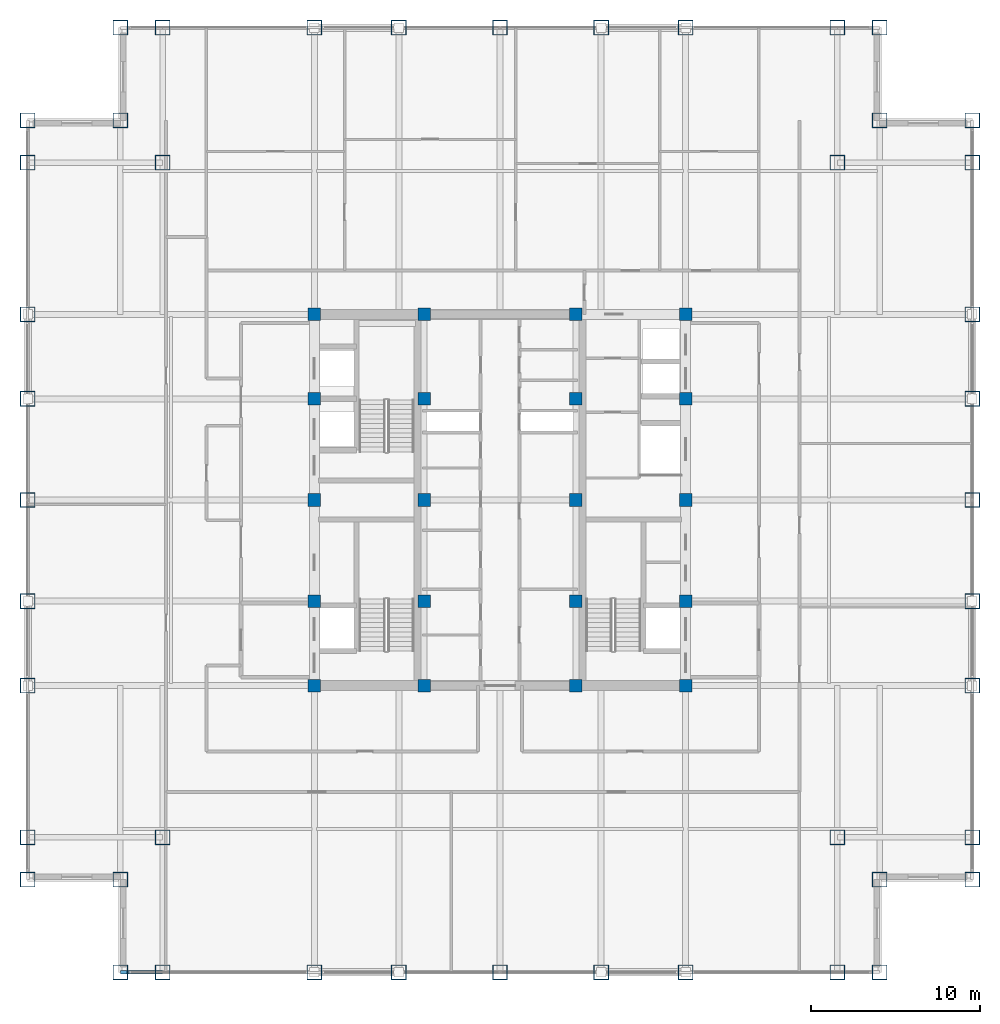
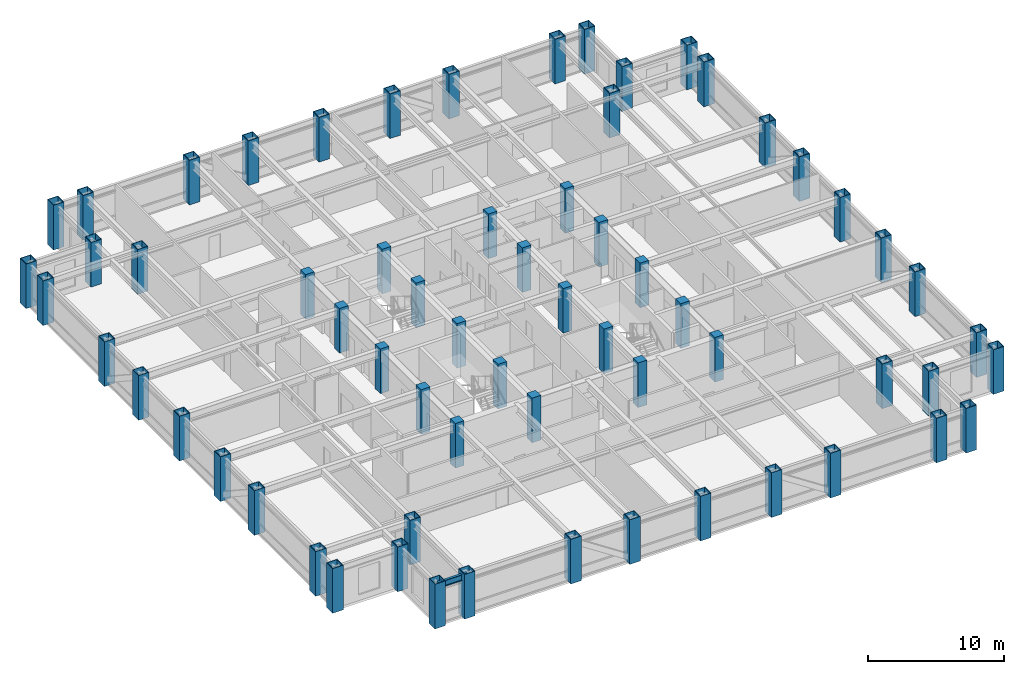
# One storey, part 1 of 22: 64 columns, 1 beam.
"""IFC4 building model written with IfcOpenShell, lengths in metres."""

from ifc_helpers import new_model, si_unit, direction, frame, origin, origin_2d, place, context, subcontext, project, spatial, rectangle, hollow_rectangle, i_section, extrude, source, transform, mapped, material, material_profile, profile_set, type_object, element, save


model = new_model("IFC4")

# Units and contexts
model_context = context("Model", 3, precision=1e-05, world=origin(), true_north=direction((0.0, 1.0)))
body_context = subcontext(model_context, "Body", "Model", "MODEL_VIEW")
ifc_project = project(units=[si_unit("LENGTHUNIT", "METRE"), si_unit("AREAUNIT", "SQUARE_METRE"), si_unit("VOLUMEUNIT", "CUBIC_METRE"), si_unit("PLANEANGLEUNIT", "RADIAN"), si_unit("MASSUNIT", "GRAM", prefix="KILO")], contexts=[model_context])

# Site, building, storey
site_placement = place(None, origin())
site = spatial("IfcSite", under=ifc_project, at=site_placement, CompositionType="ELEMENT")
building_placement = place(site_placement, origin())
building = spatial("IfcBuilding", under=site, at=building_placement, Name="Khorayat Bourse Tower", CompositionType="ELEMENT")
storey_placement = place(building_placement, frame((0.0, 0.0, 309.5)))
storey = spatial("IfcBuildingStorey", under=building, at=storey_placement, Name="L73", CompositionType="ELEMENT", Elevation=309.5)

# Columns
ifc_material_1 = material(Name="Steel EN 10025-4 S460M", Category="steel")
ifc_material_profile_1 = material_profile(ifc_material_1, hollow_rectangle(XDim=0.89990234375, YDim=0.89990234375, WallThickness=0.050048828125, at=origin_2d()), Name="BOX 900x900x50")
ifc_profile_set_1 = profile_set([ifc_material_profile_1], Name="Steel EN 10025-4 S460M")
column_type_1 = type_object("IfcColumnType", Name="COL-TUBE-900", PredefinedType="COLUMN", material=ifc_profile_set_1)
shared_shape_1 = source(origin(), body_context, "Body", "SweptSolid", [
    extrude(hollow_rectangle(XDim=0.89990234375, YDim=0.89990234375, WallThickness=0.050048828125, at=origin_2d()), origin(), (0.0, 0.0, 1.0), 4.0),
])
for number, where, z_axis, x_axis, name in (
    (1, (-28.0, -22.5, 0.0), (0.0, 0.0, 1.0), (1.0, 0.0, 0.0), "L73 Column 001"),
    (2, (-28.0, -20.0, 0.0), (0.0, 0.0, 1.0), (1.0, 0.0, 0.0), "L73 Column 002"),
    (3, (-28.0, -11.0, 0.0), (0.0, 0.0, 1.0), (1.0, 0.0, 0.0), "L73 Column 003"),
    (4, (-28.0, -6.0, 0.0), (0.0, 0.0, 1.0), (1.0, 0.0, 0.0), "L73 Column 004"),
    (5, (-28.0, 0.0, 0.0), (0.0, 0.0, 1.0), (1.0, 0.0, 0.0), "L73 Column 005"),
    (6, (-28.0, 6.0, 0.0), (0.0, 0.0, 1.0), (1.0, 0.0, 0.0), "L73 Column 006"),
    (7, (-28.0, 11.0, 0.0), (0.0, 0.0, 1.0), (1.0, 0.0, 0.0), "L73 Column 007"),
    (8, (-28.0, 20.0, 0.0), (0.0, 0.0, 1.0), (1.0, 0.0, 0.0), "L73 Column 008"),
    (9, (-28.0, 22.5, 0.0), (0.0, 0.0, 1.0), (1.0, 0.0, 0.0), "L73 Column 009"),
    (10, (-22.5, -28.0, 0.0), (0.0, 0.0, 1.0), (1.0, 0.0, 0.0), "L73 Column 010"),
    (11, (-22.5, -22.5, 0.0), (0.0, 0.0, 1.0), (1.0, 0.0, 0.0), "L73 Column 011"),
    (12, (-22.5, 22.5, 0.0), (0.0, 0.0, 1.0), (1.0, 0.0, 0.0), "L73 Column 012"),
    (13, (-22.5, 28.0, 0.0), (0.0, 0.0, 1.0), (1.0, 0.0, 0.0), "L73 Column 013"),
    (14, (-20.0, -28.0, 0.0), (0.0, 0.0, 1.0), (1.0, 0.0, 0.0), "L73 Column 014"),
    (15, (-20.0, -20.0, 0.0), (0.0, 0.0, 1.0), (1.0, 0.0, 0.0), "L73 Column 015"),
    (16, (-20.0, 20.0, 0.0), (0.0, 0.0, 1.0), (1.0, 0.0, 0.0), "L73 Column 016"),
    (17, (-20.0, 28.0, 0.0), (0.0, 0.0, 1.0), (1.0, 0.0, 0.0), "L73 Column 017"),
    (18, (-11.0, -28.0, 0.0), (0.0, 0.0, 1.0), (1.0, 0.0, 0.0), "L73 Column 018"),
    (19, (-11.0, 28.0, 0.0), (0.0, 0.0, 1.0), (1.0, 0.0, 0.0), "L73 Column 024"),
    (20, (-6.0, -28.0, 0.0), (0.0, 0.0, 1.0), (1.0, 0.0, 0.0), "L73 Column 025"),
    (21, (-6.0, 28.0, 0.0), (0.0, 0.0, 1.0), (1.0, 0.0, 0.0), "L73 Column 026"),
    (22, (0.0, -28.0, 0.0), (0.0, 0.0, 1.0), (1.0, 0.0, 0.0), "L73 Column 032"),
    (23, (0.0, 28.0, 0.0), (0.0, 0.0, 1.0), (1.0, 0.0, 0.0), "L73 Column 033"),
    (24, (6.0, -28.0, 0.0), (0.0, 0.0, 1.0), (1.0, 0.0, 0.0), "L73 Column 039"),
    (25, (6.0, 28.0, 0.0), (0.0, 0.0, 1.0), (1.0, 0.0, 0.0), "L73 Column 040"),
    (26, (11.0, -28.0, 0.0), (0.0, 0.0, 1.0), (1.0, 0.0, 0.0), "L73 Column 041"),
    (27, (11.0, 28.0, 0.0), (0.0, 0.0, 1.0), (1.0, 0.0, 0.0), "L73 Column 047"),
    (28, (20.0, -28.0, 0.0), (0.0, 0.0, 1.0), (1.0, 0.0, 0.0), "L73 Column 048"),
    (29, (20.0, -20.0, 0.0), (0.0, 0.0, 1.0), (1.0, 0.0, 0.0), "L73 Column 049"),
    (30, (20.0, 20.0, 0.0), (0.0, 0.0, 1.0), (1.0, 0.0, 0.0), "L73 Column 050"),
    (31, (20.0, 28.0, 0.0), (0.0, 0.0, 1.0), (1.0, 0.0, 0.0), "L73 Column 051"),
    (32, (22.5, -28.0, 0.0), (0.0, 0.0, 1.0), (1.0, 0.0, 0.0), "L73 Column 052"),
    (33, (22.5, -22.5, 0.0), (0.0, 0.0, 1.0), (1.0, 0.0, 0.0), "L73 Column 053"),
    (34, (22.5, 22.5, 0.0), (0.0, 0.0, 1.0), (1.0, 0.0, 0.0), "L73 Column 054"),
    (35, (22.5, 28.0, 0.0), (0.0, 0.0, 1.0), (1.0, 0.0, 0.0), "L73 Column 055"),
    (36, (28.0, -22.5, 0.0), (0.0, 0.0, 1.0), (1.0, 0.0, 0.0), "L73 Column 056"),
    (37, (28.0, -20.0, 0.0), (0.0, 0.0, 1.0), (1.0, 0.0, 0.0), "L73 Column 057"),
    (38, (28.0, -11.0, 0.0), (0.0, 0.0, 1.0), (1.0, 0.0, 0.0), "L73 Column 058"),
    (39, (28.0, -6.0, 0.0), (0.0, 0.0, 1.0), (1.0, 0.0, 0.0), "L73 Column 059"),
    (40, (28.0, 0.0, 0.0), (0.0, 0.0, 1.0), (1.0, 0.0, 0.0), "L73 Column 060"),
    (41, (28.0, 6.0, 0.0), (0.0, 0.0, 1.0), (1.0, 0.0, 0.0), "L73 Column 061"),
    (42, (28.0, 11.0, 0.0), (0.0, 0.0, 1.0), (1.0, 0.0, 0.0), "L73 Column 062"),
    (43, (28.0, 20.0, 0.0), (0.0, 0.0, 1.0), (1.0, 0.0, 0.0), "L73 Column 063"),
    (44, (28.0, 22.5, 0.0), (0.0, 0.0, 1.0), (1.0, 0.0, 0.0), "L73 Column 064"),
):
    element("IfcColumn", number, at=place(storey_placement, frame(where, z_axis=z_axis, x_axis=x_axis)), inside=storey, type_object=column_type_1, Name=name, PredefinedType="COLUMN", context=body_context, shape_type="MappedRepresentation", body=[
        mapped(shared_shape_1, transform((0.0, 0.0, 0.0), scale=1.0)),
    ])
ifc_material_2 = material(Name="Concrete C52/65", Category="concrete")
ifc_material_profile_2 = material_profile(ifc_material_2, rectangle(XDim=0.75, YDim=0.75, at=origin_2d()), Name="RC 750x750")
ifc_profile_set_2 = profile_set([ifc_material_profile_2], Name="Concrete C52/65")
column_type_2 = type_object("IfcColumnType", Name="COL-CORE-750", PredefinedType="COLUMN", material=ifc_profile_set_2)
shared_shape_2 = source(origin(), body_context, "Body", "SweptSolid", [
    extrude(rectangle(XDim=0.75, YDim=0.75, at=origin_2d()), origin(), (0.0, 0.0, 1.0), 4.0),
])
for number, where, z_axis, x_axis, name in (
    (45, (-11.0, -11.0, 0.0), (0.0, 0.0, 1.0), (1.0, 0.0, 0.0), "L73 Column 019"),
    (46, (-11.0, -6.0, 0.0), (0.0, 0.0, 1.0), (1.0, 0.0, 0.0), "L73 Column 020"),
    (47, (-11.0, 0.0, 0.0), (0.0, 0.0, 1.0), (1.0, 0.0, 0.0), "L73 Column 021"),
    (48, (-11.0, 6.0, 0.0), (0.0, 0.0, 1.0), (1.0, 0.0, 0.0), "L73 Column 022"),
    (49, (-11.0, 11.0, 0.0), (0.0, 0.0, 1.0), (1.0, 0.0, 0.0), "L73 Column 023"),
    (50, (-4.5, -11.0, 0.0), (0.0, 0.0, 1.0), (1.0, 0.0, 0.0), "L73 Column 027"),
    (51, (-4.5, -6.0, 0.0), (0.0, 0.0, 1.0), (1.0, 0.0, 0.0), "L73 Column 028"),
    (52, (-4.5, 0.0, 0.0), (0.0, 0.0, 1.0), (1.0, 0.0, 0.0), "L73 Column 029"),
    (53, (-4.5, 6.0, 0.0), (0.0, 0.0, 1.0), (1.0, 0.0, 0.0), "L73 Column 030"),
    (54, (-4.5, 11.0, 0.0), (0.0, 0.0, 1.0), (1.0, 0.0, 0.0), "L73 Column 031"),
    (55, (4.5, -11.0, 0.0), (0.0, 0.0, 1.0), (1.0, 0.0, 0.0), "L73 Column 034"),
    (56, (4.5, -6.0, 0.0), (0.0, 0.0, 1.0), (1.0, 0.0, 0.0), "L73 Column 035"),
    (57, (4.5, 0.0, 0.0), (0.0, 0.0, 1.0), (1.0, 0.0, 0.0), "L73 Column 036"),
    (58, (4.5, 6.0, 0.0), (0.0, 0.0, 1.0), (1.0, 0.0, 0.0), "L73 Column 037"),
    (59, (4.5, 11.0, 0.0), (0.0, 0.0, 1.0), (1.0, 0.0, 0.0), "L73 Column 038"),
    (60, (11.0, -11.0, 0.0), (0.0, 0.0, 1.0), (1.0, 0.0, 0.0), "L73 Column 042"),
    (61, (11.0, -6.0, 0.0), (0.0, 0.0, 1.0), (1.0, 0.0, 0.0), "L73 Column 043"),
    (62, (11.0, 0.0, 0.0), (0.0, 0.0, 1.0), (1.0, 0.0, 0.0), "L73 Column 044"),
    (63, (11.0, 6.0, 0.0), (0.0, 0.0, 1.0), (1.0, 0.0, 0.0), "L73 Column 045"),
    (64, (11.0, 11.0, 0.0), (0.0, 0.0, 1.0), (1.0, 0.0, 0.0), "L73 Column 046"),
):
    element("IfcColumn", number, at=place(storey_placement, frame(where, z_axis=z_axis, x_axis=x_axis)), inside=storey, type_object=column_type_2, Name=name, PredefinedType="COLUMN", context=body_context, shape_type="MappedRepresentation", body=[
        mapped(shared_shape_2, transform((0.0, 0.0, 0.0), scale=1.0)),
    ])

# Beam
ifc_material_3 = material(Name="Steel ASTM A992 Grade 50", Category="steel")
ifc_material_profile_3 = material_profile(ifc_material_3, i_section(OverallWidth=0.214111328125, OverallDepth=0.549072265625, WebThickness=0.0146484375, FlangeThickness=0.023681640625, FilletRadius=0.013916015625, at=origin_2d()), Name="W530X138")
ifc_profile_set_3 = profile_set([ifc_material_profile_3], Name="Steel ASTM A992 Grade 50")
beam_type = type_object("IfcBeamType", Name="BM-SPAN-530", PredefinedType="SPANDREL", material=ifc_profile_set_3)
shared_shape_3 = source(origin(), body_context, "Body", "SweptSolid", [
    extrude(i_section(OverallWidth=0.214111328125, OverallDepth=0.549072265625, WebThickness=0.0146484375, FlangeThickness=0.023681640625, FilletRadius=0.013916015625, at=origin_2d()), origin(), (0.0, 0.0, 1.0), 2.5),
])
beam_placement = place(storey_placement, frame((-22.5, -28.0, 3.505615234375), z_axis=(1.0, 0.0, 0.0), x_axis=(0.0, 1.0, 0.0)))
element("IfcBeam", 65, at=beam_placement, inside=storey, type_object=beam_type, Name="L73 BM-SPAN-530 BM-L73-SPN-024", PredefinedType="SPANDREL", context=body_context, shape_type="MappedRepresentation", body=[
    mapped(shared_shape_3, transform((0.0, 0.0, 0.0), scale=1.0)),
])

save(model, "model.ifc")
